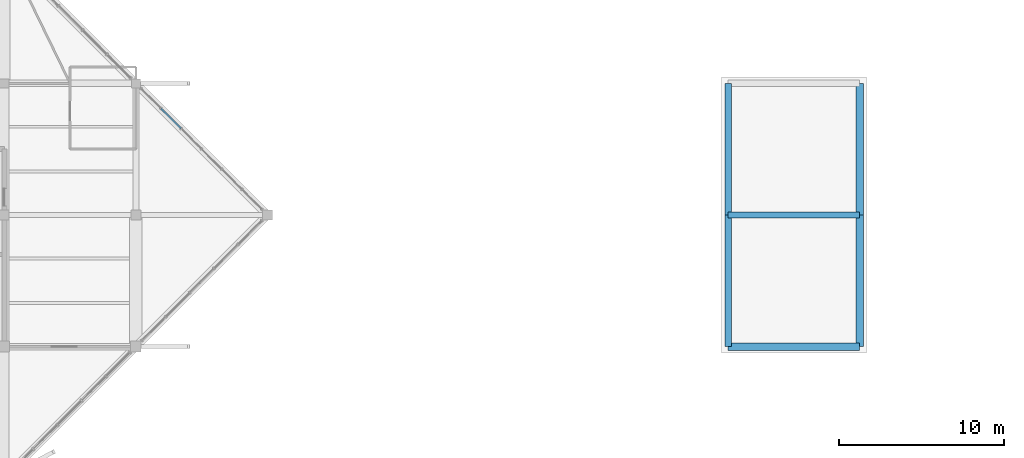
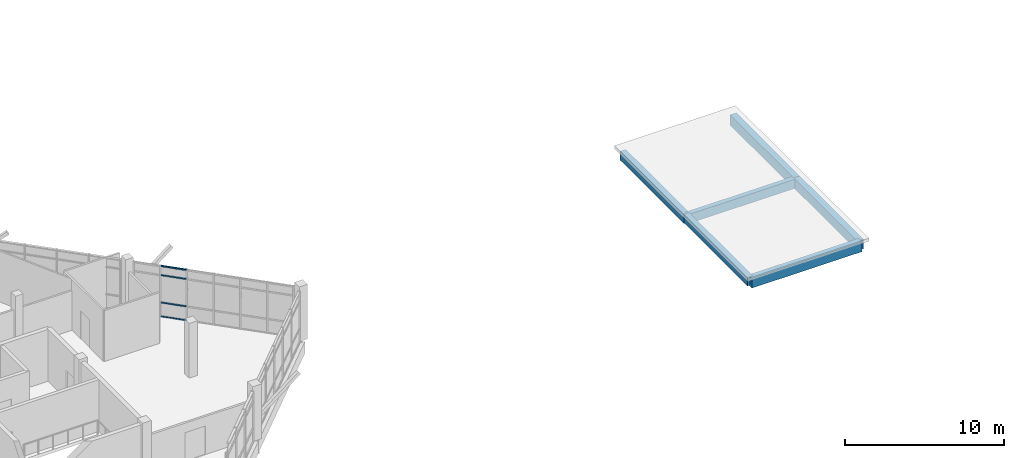
# One storey, part 25 of 72: 6 beams, 4 members, 1 element without a shape of its own.
"""IFC4 building model written with IfcOpenShell, lengths in metres."""

from ifc_helpers import new_model, si_unit, direction, frame, origin, origin_2d, place, context, subcontext, project, spatial, rectangle, extrude, material, material_profile, profile_set, type_object, element, aggregate, save


model = new_model("IFC4")

# Units and contexts
model_context = context("Model", 3, precision=1e-05, world=origin(), true_north=direction((0.0, 1.0)))
body_context = subcontext(model_context, "Body", "Model", "MODEL_VIEW")
ifc_project = project(units=[si_unit("LENGTHUNIT", "METRE"), si_unit("AREAUNIT", "SQUARE_METRE"), si_unit("VOLUMEUNIT", "CUBIC_METRE"), si_unit("PLANEANGLEUNIT", "RADIAN"), si_unit("MASSUNIT", "GRAM", prefix="KILO")], contexts=[model_context])

# Site, building, storey
site_placement = place(None, origin())
site = spatial("IfcSite", under=ifc_project, at=site_placement, CompositionType="ELEMENT")
building_placement = place(site_placement, origin())
building = spatial("IfcBuilding", under=site, at=building_placement, Name="Tenunan Teduh Sports Hall", CompositionType="ELEMENT")
storey_placement = place(building_placement, frame((0.0, 0.0, 15.0)))
storey = spatial("IfcBuildingStorey", under=building, at=storey_placement, Name="L03", CompositionType="ELEMENT", Elevation=15.0)

# Beams
ifc_material_1 = material(Name="Concrete C40/50", Category="concrete")
ifc_material_profile_1 = material_profile(ifc_material_1, rectangle(XDim=0.35009765625, YDim=0.699951171875, at=origin_2d()), Name="RCB 350x700")
ifc_profile_set_1 = profile_set([ifc_material_profile_1], Name="Concrete C40/50")
beam_type_1 = type_object("IfcBeamType", Name="BM-RC-350x700", PredefinedType="BEAM", material=ifc_profile_set_1)
beam_1_placement = place(storey_placement, frame((106.0, 102.0, -0.590087890625), z_axis=(1.0, 0.0, 0.0), x_axis=(0.0, 1.0, 0.0)))
element("IfcBeam", 1, at=beam_1_placement, inside=storey, type_object=beam_type_1, Name="BM-B-06-L03-1860", PredefinedType="BEAM", context=body_context, shape_type="SweptSolid", body=[
    extrude(rectangle(XDim=0.35009765625, YDim=0.699951171875, at=origin_2d()), origin(), (0.0, 0.0, 1.0), 8.0),
])
ifc_material_2 = material(Name="Concrete C40/50", Category="concrete")
ifc_material_profile_2 = material_profile(ifc_material_2, rectangle(XDim=0.39990234375, YDim=0.64990234375, at=origin_2d()), Name="RCB 400x650")
ifc_profile_set_2 = profile_set([ifc_material_profile_2], Name="Concrete C40/50")
beam_type_2 = type_object("IfcBeamType", Name="BM-RC-400x650", PredefinedType="BEAM", material=ifc_profile_set_2)
beam_2_placement = place(storey_placement, frame((106.0, 94.0, -0.56494140625), z_axis=(0.0, 1.0, 0.0), x_axis=(-1.0, 0.0, 0.0)))
element("IfcBeam", 2, at=beam_2_placement, inside=storey, type_object=beam_type_2, Name="BM-B-07-L03-1932", PredefinedType="BEAM", context=body_context, shape_type="SweptSolid", body=[
    extrude(rectangle(XDim=0.39990234375, YDim=0.64990234375, at=origin_2d()), origin(), (0.0, 0.0, 1.0), 8.0),
])
ifc_material_3 = material(Name="Concrete C40/50", Category="concrete")
ifc_material_profile_3 = material_profile(ifc_material_3, rectangle(XDim=0.39990234375, YDim=0.699951171875, at=origin_2d()), Name="RCB 400x700")
ifc_profile_set_3 = profile_set([ifc_material_profile_3], Name="Concrete C40/50")
beam_type_3 = type_object("IfcBeamType", Name="BM-RC-400x700", PredefinedType="BEAM", material=ifc_profile_set_3)
beam_3_placement = place(storey_placement, frame((106.0, 102.0, -0.590087890625), z_axis=(0.0, 1.0, 0.0), x_axis=(-1.0, 0.0, 0.0)))
element("IfcBeam", 3, at=beam_3_placement, inside=storey, type_object=beam_type_3, Name="BM-B-08-L03-1933", PredefinedType="BEAM", context=body_context, shape_type="SweptSolid", body=[
    extrude(rectangle(XDim=0.39990234375, YDim=0.699951171875, at=origin_2d()), origin(), (0.0, 0.0, 1.0), 8.0),
])
ifc_material_4 = material(Name="Concrete C40/50", Category="concrete")
ifc_material_profile_4 = material_profile(ifc_material_4, rectangle(XDim=0.449951171875, YDim=0.75, at=origin_2d()), Name="RCB 450x750")
ifc_profile_set_4 = profile_set([ifc_material_profile_4], Name="Concrete C40/50")
beam_type_4 = type_object("IfcBeamType", Name="BM-RC-450x750", PredefinedType="BEAM", material=ifc_profile_set_4)
for number, where, z_axis, x_axis, name in (
    (4, (106.0, 94.0, -0.614990234375), (1.0, 0.0, 0.0), (0.0, 1.0, 0.0), "BM-B-11-L03-1849"),
    (5, (114.0, 94.0, -0.614990234375), (0.0, 1.0, 0.0), (-1.0, 0.0, 0.0), "BM-B-11-L03-1934"),
):
    element("IfcBeam", number, at=place(storey_placement, frame(where, z_axis=z_axis, x_axis=x_axis)), inside=storey, type_object=beam_type_4, Name=name, PredefinedType="BEAM", context=body_context, shape_type="SweptSolid", body=[
        extrude(rectangle(XDim=0.449951171875, YDim=0.75, at=origin_2d()), origin(), (0.0, 0.0, 1.0), 8.0),
    ])
ifc_material_5 = material(Name="Concrete C40/50", Category="concrete")
ifc_material_profile_5 = material_profile(ifc_material_5, rectangle(XDim=0.449951171875, YDim=0.800048828125, at=origin_2d()), Name="RCB 450x800")
ifc_profile_set_5 = profile_set([ifc_material_profile_5], Name="Concrete C40/50")
beam_type_5 = type_object("IfcBeamType", Name="BM-RC-450x800", PredefinedType="BEAM", material=ifc_profile_set_5)
beam_4_placement = place(storey_placement, frame((114.0, 102.0, -0.639892578125), z_axis=(0.0, 1.0, 0.0), x_axis=(-1.0, 0.0, 0.0)))
element("IfcBeam", 6, at=beam_4_placement, inside=storey, type_object=beam_type_5, Name="BM-B-12-L03-1935", PredefinedType="BEAM", context=body_context, shape_type="SweptSolid", body=[
    extrude(rectangle(XDim=0.449951171875, YDim=0.800048828125, at=origin_2d()), origin(), (0.0, 0.0, 1.0), 8.0),
])

# Curtain wall, members
ifc_material_6 = material(Name="Anodised aluminium", Category="aluminium")
curtain_wall_type = type_object("IfcCurtainWallType", Name="CW-UNIT-2", PredefinedType="NOTDEFINED", material=ifc_material_6)
curtain_wall_placement = place(storey_placement, origin())
curtain_wall = element("IfcCurtainWall", 7, at=curtain_wall_placement, inside=storey, type_object=curtain_wall_type, Name="CW-CWM-150-L03-223", PredefinedType="NOTDEFINED")
ifc_material_7 = material(Name="Anodised aluminium", Category="aluminium")
ifc_material_profile_6 = material_profile(ifc_material_7, rectangle(XDim=0.06005859375, YDim=0.1201171875, at=origin_2d()), Name="CWT 60x120")
ifc_profile_set_6 = profile_set([ifc_material_profile_6], Name="Anodised aluminium")
member_type = type_object("IfcMemberType", Name="CWT-125", PredefinedType="USERDEFINED", material=ifc_profile_set_6)
member_1_placement = place(storey_placement, frame((72.73291015625, 107.26708984375, 0.030029296875), z_axis=(-0.707106781187, 0.707106781187, 0.0), x_axis=(0.0, 0.0, 1.0)))
member_1 = element("IfcMember", 8, at=member_1_placement, type_object=member_type, Name="CW-02 transom 5.1", ObjectType="TRANSOM", PredefinedType="USERDEFINED", context=body_context, shape_type="SweptSolid", body=[
    extrude(rectangle(XDim=0.06005859375, YDim=0.1201171875, at=origin_2d()), origin(), (0.0, 0.0, 1.0), 1.68310546875),
])
member_2_placement = place(storey_placement, frame((72.73291015625, 107.26708984375, 1.10009765625), z_axis=(-0.707106781187, 0.707106781187, 0.0), x_axis=(0.0, 0.0, 1.0)))
member_2 = element("IfcMember", 9, at=member_2_placement, type_object=member_type, Name="CW-02 transom 5.2", ObjectType="TRANSOM", PredefinedType="USERDEFINED", context=body_context, shape_type="SweptSolid", body=[
    extrude(rectangle(XDim=0.06005859375, YDim=0.1201171875, at=origin_2d()), origin(), (0.0, 0.0, 1.0), 1.68310546875),
])
member_3_placement = place(storey_placement, frame((72.73291015625, 107.26708984375, 3.199951171875), z_axis=(-0.707106781187, 0.707106781187, 0.0), x_axis=(0.0, 0.0, 1.0)))
member_3 = element("IfcMember", 10, at=member_3_placement, type_object=member_type, Name="CW-02 transom 5.3", ObjectType="TRANSOM", PredefinedType="USERDEFINED", context=body_context, shape_type="SweptSolid", body=[
    extrude(rectangle(XDim=0.06005859375, YDim=0.1201171875, at=origin_2d()), origin(), (0.0, 0.0, 1.0), 1.68310546875),
])
member_4_placement = place(storey_placement, frame((72.73291015625, 107.26708984375, 3.889892578125), z_axis=(-0.707106781187, 0.707106781187, 0.0), x_axis=(0.0, 0.0, 1.0)))
member_4 = element("IfcMember", 11, at=member_4_placement, type_object=member_type, Name="CW-02 transom 5.4", ObjectType="TRANSOM", PredefinedType="USERDEFINED", context=body_context, shape_type="SweptSolid", body=[
    extrude(rectangle(XDim=0.06005859375, YDim=0.1201171875, at=origin_2d()), origin(), (0.0, 0.0, 1.0), 1.68310546875),
])
aggregate(curtain_wall, [member_1, member_2, member_3, member_4])

save(model, "model.ifc")
